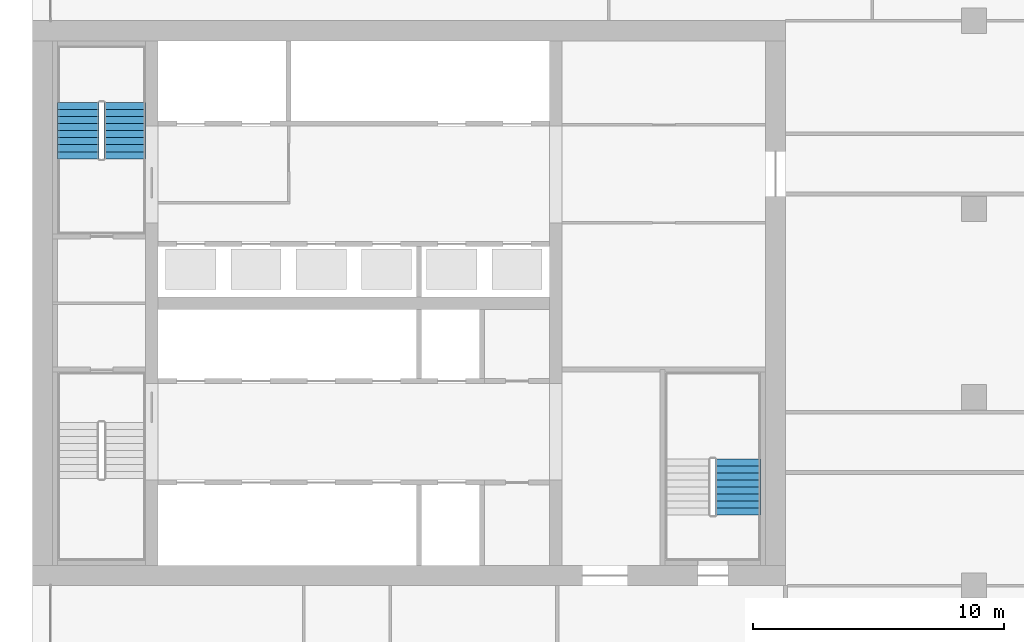
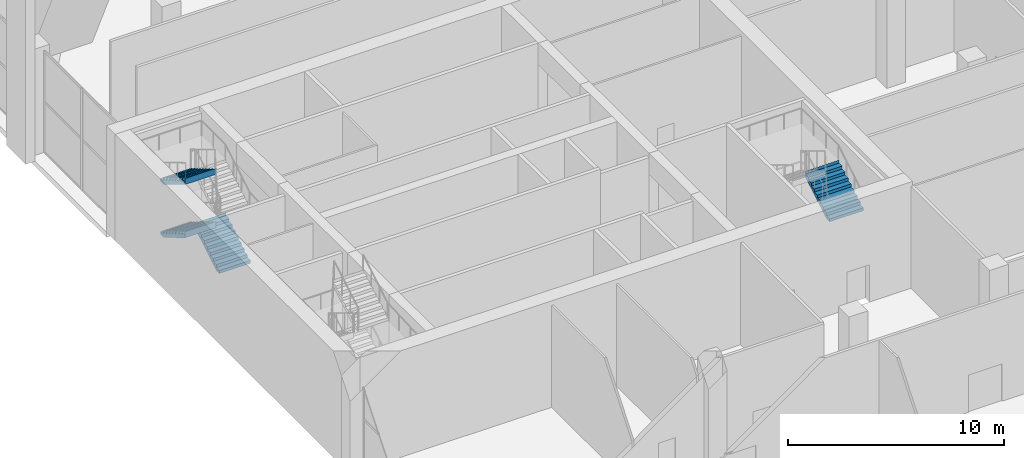
# One storey, part 18 of 23: 4 stair flights, 2 elements without a shape of their own.
"""IFC4 building model written with IfcOpenShell, lengths in metres."""

import ifcopenshell
import ifcopenshell.guid

model = None  # the IFC model being written
_history = None  # IfcOwnerHistory: only IFC2X3 demands one
_inside = {}  # id of a spatial element -> (the spatial element, [elements in it])
_under = {}  # id of a project, library or spatial element -> (it, [spatial elements below it])
_declared = {}  # id of a project -> (the project, [libraries it declares])
_typed = {}  # id of a type object -> (the type object, [elements of that type])
_made_of = {}  # id of a material, layer set ... -> (it, [elements and type objects made of it])


def new_model(schema):
    """Start an empty IFC model of exactly this schema.

    Asked for "IFC4X3", IfcOpenShell would pick the latest addendum, in which some entities
    have other attributes; the version numbers below select the first issue.
    IFC2X3 requires an IfcOwnerHistory on every rooted entity: one is made here for all.
    """
    global model, _history
    if schema == "IFC4X3":
        model = ifcopenshell.file(schema_version=(4, 3, 0, 0))
    else:
        model = ifcopenshell.file(schema=schema)
    _inside.clear()
    _under.clear()
    _declared.clear()
    _typed.clear()
    _made_of.clear()
    _history = None
    if model.schema == "IFC2X3":
        org = make("IfcOrganization", Name="unknown")
        user = make(
            "IfcPersonAndOrganization",
            ThePerson=make("IfcPerson", FamilyName="unknown"),
            TheOrganization=org,
        )
        app = make(
            "IfcApplication",
            ApplicationDeveloper=org,
            Version="unknown",
            ApplicationFullName="unknown",
            ApplicationIdentifier="unknown",
        )
        _history = make(
            "IfcOwnerHistory",
            OwningUser=user,
            OwningApplication=app,
            ChangeAction="ADDED",
            CreationDate=0,
        )
    return model


def make(cls, **values):
    """One entity of the class cls with the attributes given. An attribute that is None is left unset."""
    return model.create_entity(
        cls, **{name: value for name, value in values.items() if value is not None}
    )


def rooted(cls, **values):
    """An entity with a GlobalId (a new one), such as an element, a storey or a relation."""
    return make(cls, GlobalId=ifcopenshell.guid.new(), OwnerHistory=_history, **values)


def si_unit(unit_type, name, prefix=None):
    """IfcSIUnit, for example si_unit("LENGTHUNIT", "METRE", prefix="MILLI")."""
    return make("IfcSIUnit", UnitType=unit_type, Prefix=prefix, Name=name)


def assignment(units):
    """IfcUnitAssignment: the units of a project."""
    return None if units is None else make("IfcUnitAssignment", Units=units)


def point(xyz):
    """IfcCartesianPoint."""
    return None if xyz is None else make("IfcCartesianPoint", Coordinates=xyz)


def direction(xyz):
    """IfcDirection."""
    return None if xyz is None else make("IfcDirection", DirectionRatios=xyz)


def frame(location, z_axis=None, x_axis=None):
    """IfcAxis2Placement3D, a coordinate frame: its origin and axes. An axis left out is left unset."""
    return make(
        "IfcAxis2Placement3D",
        Location=point(location),
        Axis=direction(z_axis),
        RefDirection=direction(x_axis),
    )


def origin():
    """The frame at (0, 0, 0) with its axes left unset."""
    return frame((0.0, 0.0, 0.0))


def place(relative_to, where):
    """IfcLocalPlacement: puts the frame where relative to a parent placement (None: the world)."""
    return make(
        "IfcLocalPlacement", PlacementRelTo=relative_to, RelativePlacement=where
    )


def context(
    kind, dimensions, precision=None, world=None, true_north=None, identifier=None
):
    """IfcGeometricRepresentationContext, for example the 3D "Model" context."""
    return make(
        "IfcGeometricRepresentationContext",
        ContextIdentifier=identifier,
        ContextType=kind,
        CoordinateSpaceDimension=dimensions,
        Precision=precision,
        WorldCoordinateSystem=world,
        TrueNorth=true_north,
    )


def subcontext(parent, identifier, kind, view, scale=None):
    """IfcGeometricRepresentationSubContext, for example "Body" below "Model"."""
    return make(
        "IfcGeometricRepresentationSubContext",
        ContextIdentifier=identifier,
        ContextType=kind,
        ParentContext=parent,
        TargetScale=scale,
        TargetView=view,
    )


def project(units=None, contexts=None):
    """IfcProject with its units and contexts."""
    return rooted(
        "IfcProject",
        Name="project",
        RepresentationContexts=contexts,
        UnitsInContext=assignment(units),
    )


def spatial(cls, under=None, at=None, **own):
    """A site, building, storey or space (cls), placed at a placement, below another one or the project."""
    s = rooted(cls, ObjectPlacement=at, **own)
    if under is not None:
        _under.setdefault(under.id(), (under, []))[1].append(s)
    return s


def polyline(points):
    """IfcPolyline through the points."""
    return make("IfcPolyline", Points=[point(p) for p in points])


def outline(outer, holes=None, kind="AREA"):
    """IfcArbitraryClosedProfileDef: a profile drawn as a closed curve; with holes, ...WithVoids."""
    if holes is None:
        return make("IfcArbitraryClosedProfileDef", ProfileType=kind, OuterCurve=outer)
    return make(
        "IfcArbitraryProfileDefWithVoids",
        ProfileType=kind,
        OuterCurve=outer,
        InnerCurves=holes,
    )


def extrude(swept, where, along, depth):
    """IfcExtrudedAreaSolid: the profile swept, set in the frame where, extruded along a direction by depth."""
    return make(
        "IfcExtrudedAreaSolid",
        SweptArea=swept,
        Position=where,
        ExtrudedDirection=direction(along),
        Depth=depth,
    )


def shape(context_of_items, identifier, shape_type, items):
    """IfcShapeRepresentation: the items that make up one representation, for example the "Body"."""
    return make(
        "IfcShapeRepresentation",
        ContextOfItems=context_of_items,
        RepresentationIdentifier=identifier,
        RepresentationType=shape_type,
        Items=items,
    )


def material(Name=None, Category=None):
    """IfcMaterial."""
    return make("IfcMaterial", Name=Name, Category=Category)


def made_of(thing, what):
    """Note that an element or type object is made of a material, layer set ...; save() writes the relation."""
    if what is not None:
        _made_of.setdefault(what.id(), (what, []))[1].append(thing)
    return thing


def type_object(cls, material=None, **own):
    """A type object (cls), such as IfcWallType, which elements share."""
    return made_of(rooted(cls, **own), material)


def element(
    cls,
    number,
    at=None,
    inside=None,
    cuts=None,
    type_object=None,
    material=None,
    context=None,
    identifier="Body",
    shape_type=None,
    held_by="IfcProductDefinitionShape",
    body=None,
    shapes=None,
    **own,
):
    """One element of the class cls, such as IfcWall. Its Tag is "e" and its number.

    at: its placement. inside: the storey or other place that contains it. cuts: it is an
    opening in that element (IfcRelVoidsElement). A single representation is given by context,
    identifier, shape_type and body (its items); several are given by shapes. held_by: the class
    of the entity that holds the representations. save() writes the other relations.
    """
    e = rooted(cls, Tag="e%d" % number, ObjectPlacement=at, **own)
    if body is not None:
        shapes = [shape(context, identifier, shape_type, body)]
    if shapes is not None:
        e.Representation = make(held_by, Representations=shapes)
    if inside is not None:
        _inside.setdefault(inside.id(), (inside, []))[1].append(e)
    if cuts is not None:
        rooted(
            "IfcRelVoidsElement", RelatingBuildingElement=cuts, RelatedOpeningElement=e
        )
    if type_object is not None:
        _typed.setdefault(type_object.id(), (type_object, []))[1].append(e)
    return made_of(e, material)


def aggregate(whole, parts):
    """IfcRelAggregates: a whole, such as a stair, and the parts it consists of."""
    return rooted("IfcRelAggregates", RelatingObject=whole, RelatedObjects=parts)


def save(model, path):
    """Write the relations noted so far, then the file.

    IfcRelAggregates (storeys below a building ...), IfcRelContainedInSpatialStructure (elements
    in a storey), IfcRelDefinesByType, IfcRelAssociatesMaterial and IfcRelDeclares: one each for
    every whole, place, type object, material and project.
    """
    for whole, parts in _under.values():
        aggregate(whole, parts)
    for where, things in _inside.values():
        rooted(
            "IfcRelContainedInSpatialStructure",
            RelatedElements=things,
            RelatingStructure=where,
        )
    for kind, things in _typed.values():
        rooted("IfcRelDefinesByType", RelatedObjects=things, RelatingType=kind)
    for what, things in _made_of.values():
        rooted("IfcRelAssociatesMaterial", RelatedObjects=things, RelatingMaterial=what)
    for by, libraries in _declared.values():
        rooted("IfcRelDeclares", RelatingContext=by, RelatedDefinitions=libraries)
    model.write(path)


model = new_model("IFC4")

# Units and contexts
model_context = context("Model", 3, precision=1e-05, world=origin(), true_north=direction((0.0, 1.0)))
body_context = subcontext(model_context, "Body", "Model", "MODEL_VIEW")
ifc_project = project(units=[si_unit("LENGTHUNIT", "METRE"), si_unit("AREAUNIT", "SQUARE_METRE"), si_unit("VOLUMEUNIT", "CUBIC_METRE"), si_unit("PLANEANGLEUNIT", "RADIAN"), si_unit("MASSUNIT", "GRAM", prefix="KILO")], contexts=[model_context])

# Site, building, storey
site_placement = place(None, origin())
site = spatial("IfcSite", under=ifc_project, at=site_placement, CompositionType="ELEMENT")
building_placement = place(site_placement, origin())
building = spatial("IfcBuilding", under=site, at=building_placement, Name="Tamorin Gate", CompositionType="ELEMENT")
storey_placement = place(building_placement, frame((0.0, 0.0, 124.199951171875)))
storey = spatial("IfcBuildingStorey", under=building, at=storey_placement, Name="L30", CompositionType="ELEMENT", Elevation=124.199951171875)

# Stair, stair flights
ifc_material = material(Name="Concrete C40/50", Category="concrete")
stair_type = type_object("IfcStairType", Name="Exit stair", PredefinedType="HALF_TURN_STAIR", material=ifc_material)
stair_1_placement = place(storey_placement, origin())
stair_1 = element("IfcStair", 1, at=stair_1_placement, inside=storey, type_object=stair_type, Name="L30 stair ST2", PredefinedType="HALF_TURN_STAIR")
stair_flight_type = type_object("IfcStairFlightType", Name="Exit stair flight", PredefinedType="STRAIGHT", material=ifc_material)
stair_flight_1_placement = place(storey_placement, frame((33.675048828125, 77.0, 0.0), z_axis=(0.0, 0.0, 1.0), x_axis=(0.0, 1.0, 0.0)))
stair_flight_1 = element("IfcStairFlight", 2, at=stair_flight_1_placement, type_object=stair_flight_type, Name="ST2 flight 1", NumberOfRisers=9, NumberOfTreads=8, PredefinedType="STRAIGHT", RiserHeight=0.166666667, TreadLength=0.28, context=body_context, shape_type="SweptSolid", body=[
    extrude(outline(polyline([(-0.00048828125, 0.0), (-0.00048828125, 0.001708984375), (-0.00048828125, 0.00341796875), (-0.00048828125, 0.0048828125), (-0.00048828125, 0.006591796875), (-0.00048828125, 0.00830078125), (-0.00048828125, 0.010009765625), (-0.00048828125, 0.011474609375), (-0.00048828125, 0.01318359375), (-0.00048828125, 0.014892578125), (-0.00048828125, 0.0166015625), (-0.00048828125, 0.01806640625), (-0.00048828125, 0.019775390625), (-0.00048828125, 0.021484375), (-0.00048828125, 0.023193359375), (-0.00048828125, 0.024658203125), (-0.00048828125, 0.0263671875), (-0.00048828125, 0.028076171875), (-0.00048828125, 0.02978515625), (-0.00048828125, 0.03125), (-0.00048828125, 0.032958984375), (-0.00048828125, 0.03466796875), (-0.00048828125, 0.036376953125), (-0.00048828125, 0.037841796875), (-0.00048828125, 0.03955078125), (-0.00048828125, 0.041259765625), (-0.00048828125, 0.04296875), (-0.00048828125, 0.04443359375), (-0.00048828125, 0.046142578125), (-0.00048828125, 0.0478515625), (-0.00048828125, 0.049560546875), (-0.00048828125, 0.05126953125), (-0.00048828125, 0.052734375), (-0.00048828125, 0.054443359375), (-0.00048828125, 0.05615234375), (-0.00048828125, 0.057861328125), (-0.00048828125, 0.059326171875), (-0.00048828125, 0.06103515625), (-0.00048828125, 0.062744140625), (-0.00048828125, 0.064453125), (-0.00048828125, 0.06591796875), (-0.00048828125, 0.067626953125), (-0.00048828125, 0.0693359375), (-0.00048828125, 0.071044921875), (-0.00048828125, 0.072509765625), (-0.00048828125, 0.07421875), (-0.00048828125, 0.075927734375), (-0.00048828125, 0.07763671875), (-0.00048828125, 0.0791015625), (-0.00048828125, 0.080810546875), (-0.00048828125, 0.08251953125), (-0.00048828125, 0.084228515625), (-0.00048828125, 0.085693359375), (-0.00048828125, 0.08740234375), (-0.00048828125, 0.089111328125), (-0.00048828125, 0.0908203125), (-0.00048828125, 0.092529296875), (-0.00048828125, 0.093994140625), (-0.00048828125, 0.095703125), (-0.00048828125, 0.097412109375), (-0.00048828125, 0.09912109375), (-0.00048828125, 0.1005859375), (-0.00048828125, 0.102294921875), (-0.00048828125, 0.10400390625), (-0.00048828125, 0.105712890625), (-0.00048828125, 0.107177734375), (-0.00048828125, 0.10888671875), (-0.00048828125, 0.110595703125), (-0.00048828125, 0.1123046875), (-0.00048828125, 0.11376953125), (-0.00048828125, 0.115478515625), (-0.00048828125, 0.1171875), (-0.00048828125, 0.118896484375), (-0.00048828125, 0.120361328125), (-0.00048828125, 0.1220703125), (-0.00048828125, 0.123779296875), (-0.00048828125, 0.12548828125), (-0.00048828125, 0.126953125), (-0.00048828125, 0.128662109375), (-0.00048828125, 0.13037109375), (-0.00048828125, 0.132080078125), (-0.00048828125, 0.133544921875), (-0.00048828125, 0.13525390625), (-0.00048828125, 0.136962890625), (-0.00048828125, 0.138671875), (-0.00048828125, 0.140380859375), (-0.00048828125, 0.141845703125), (-0.00048828125, 0.1435546875), (-0.00048828125, 0.145263671875), (-0.00048828125, 0.14697265625), (-0.00048828125, 0.1484375), (-0.00048828125, 0.150146484375), (-0.00048828125, 0.15185546875), (-0.00048828125, 0.153564453125), (-0.00048828125, 0.155029296875), (-0.00048828125, 0.15673828125), (-0.00048828125, 0.158447265625), (-0.00048828125, 0.16015625), (-0.00048828125, 0.16162109375), (-0.00048828125, 0.163330078125), (-0.00048828125, 0.1650390625), (-0.00048828125, 0.166748046875), (0.280029296875, 0.166748046875), (0.280029296875, 0.333251953125), (0.56005859375, 0.333251953125), (0.56005859375, 0.5), (0.840087890625, 0.5), (0.840087890625, 0.666748046875), (1.1201171875, 0.666748046875), (1.1201171875, 0.833251953125), (1.39990234375, 0.833251953125), (1.39990234375, 1.0), (1.679931640625, 1.0), (1.679931640625, 1.166748046875), (1.9599609375, 1.166748046875), (1.9599609375, 1.333251953125), (2.239990234375, 1.333251953125), (2.239990234375, 1.5), (2.240478515625, 1.5), (2.240478515625, 1.49658203125), (2.240478515625, 1.4931640625), (2.240478515625, 1.48974609375), (2.240478515625, 1.486572265625), (2.240478515625, 1.483154296875), (2.240478515625, 1.479736328125), (2.240478515625, 1.476318359375), (2.240478515625, 1.472900390625), (2.240478515625, 1.469482421875), (2.240478515625, 1.46630859375), (2.240478515625, 1.462890625), (2.240478515625, 1.45947265625), (2.240478515625, 1.4560546875), (2.240478515625, 1.45263671875), (2.240478515625, 1.44921875), (2.240478515625, 1.446044921875), (2.240478515625, 1.442626953125), (2.240478515625, 1.439208984375), (2.240478515625, 1.435791015625), (2.240478515625, 1.432373046875), (2.240478515625, 1.428955078125), (2.240478515625, 1.42578125), (2.240478515625, 1.42236328125), (2.240478515625, 1.4189453125), (2.240478515625, 1.41552734375), (2.240478515625, 1.412109375), (2.240478515625, 1.40869140625), (2.240478515625, 1.405517578125), (2.240478515625, 1.402099609375), (2.240478515625, 1.398681640625), (2.240478515625, 1.395263671875), (2.240478515625, 1.391845703125), (2.240478515625, 1.388427734375), (2.240478515625, 1.38525390625), (2.240478515625, 1.3818359375), (2.240478515625, 1.37841796875), (2.240478515625, 1.375), (2.240478515625, 1.37158203125), (2.240478515625, 1.3681640625), (2.240478515625, 1.364990234375), (2.240478515625, 1.361572265625), (2.240478515625, 1.358154296875), (2.240478515625, 1.354736328125), (2.240478515625, 1.351318359375), (2.240478515625, 1.347900390625), (2.240478515625, 1.3447265625), (2.240478515625, 1.34130859375), (2.240478515625, 1.337890625), (2.240478515625, 1.33447265625), (2.240478515625, 1.3310546875), (2.240478515625, 1.32763671875), (2.240478515625, 1.324462890625), (2.240478515625, 1.321044921875), (2.240478515625, 1.317626953125), (2.240478515625, 1.314208984375), (2.240478515625, 1.310791015625), (2.240478515625, 1.307373046875), (2.240478515625, 1.30419921875), (2.240478515625, 1.30078125), (2.240478515625, 1.29736328125), (2.240478515625, 1.2939453125), (2.240478515625, 1.29052734375), (2.240478515625, 1.287109375), (2.240478515625, 1.283935546875), (2.240478515625, 1.280517578125), (2.240478515625, 1.277099609375), (2.240478515625, 1.273681640625), (2.240478515625, 1.270263671875), (2.240478515625, 1.266845703125), (2.240478515625, 1.263671875), (2.240478515625, 1.26025390625), (2.240478515625, 1.2568359375), (2.240478515625, 1.25341796875), (2.240478515625, 1.25), (2.240478515625, 1.24658203125), (2.240478515625, 1.243408203125), (2.240478515625, 1.239990234375), (2.240478515625, 1.236572265625), (2.240478515625, 1.233154296875), (2.240478515625, 1.229736328125), (2.240478515625, 1.226318359375), (2.240478515625, 1.22314453125), (2.240478515625, 1.2197265625), (2.240478515625, 1.21630859375), (2.240478515625, 1.212890625), (2.240478515625, 1.20947265625), (2.240478515625, 1.2060546875), (2.240478515625, 1.202880859375), (2.240478515625, 1.199462890625), (2.240478515625, 1.196044921875), (2.240478515625, 1.192626953125), (2.240478515625, 1.189208984375), (2.240478515625, 1.185791015625), (2.240478515625, 1.1826171875), (2.240478515625, 1.17919921875), (2.240478515625, 1.17578125), (2.240478515625, 1.17236328125), (2.240478515625, 1.1689453125), (2.240478515625, 1.16552734375), (2.240478515625, 1.162353515625), (2.240478515625, 1.158935546875), (2.239990234375, 1.158935546875), (0.29296875, 0.0), (-0.00048828125, 0.0)])), frame((0.0, 0.824951171875, 0.0), z_axis=(0.0, -1.0, 0.0), x_axis=(1.0, 0.0, 0.0)), (0.0, 0.0, 1.0), 1.64990234375),
])
stair_flight_2_placement = place(storey_placement, frame((31.824951171875, 79.239990234375, 1.5), z_axis=(0.0, 0.0, 1.0), x_axis=(0.0, -1.0, 0.0)))
stair_flight_2 = element("IfcStairFlight", 3, at=stair_flight_2_placement, type_object=stair_flight_type, Name="ST2 flight 2", NumberOfRisers=9, NumberOfTreads=8, PredefinedType="STRAIGHT", RiserHeight=0.166666667, TreadLength=0.28, context=body_context, shape_type="SweptSolid", body=[
    extrude(outline(polyline([(-0.00048828125, 0.0), (-0.00048828125, 0.001708984375), (-0.00048828125, 0.00341796875), (-0.00048828125, 0.0048828125), (-0.00048828125, 0.006591796875), (-0.00048828125, 0.00830078125), (-0.00048828125, 0.010009765625), (-0.00048828125, 0.011474609375), (-0.00048828125, 0.01318359375), (-0.00048828125, 0.014892578125), (-0.00048828125, 0.0166015625), (-0.00048828125, 0.01806640625), (-0.00048828125, 0.019775390625), (-0.00048828125, 0.021484375), (-0.00048828125, 0.023193359375), (-0.00048828125, 0.024658203125), (-0.00048828125, 0.0263671875), (-0.00048828125, 0.028076171875), (-0.00048828125, 0.02978515625), (-0.00048828125, 0.03125), (-0.00048828125, 0.032958984375), (-0.00048828125, 0.03466796875), (-0.00048828125, 0.036376953125), (-0.00048828125, 0.037841796875), (-0.00048828125, 0.03955078125), (-0.00048828125, 0.041259765625), (-0.00048828125, 0.04296875), (-0.00048828125, 0.04443359375), (-0.00048828125, 0.046142578125), (-0.00048828125, 0.0478515625), (-0.00048828125, 0.049560546875), (-0.00048828125, 0.05126953125), (-0.00048828125, 0.052734375), (-0.00048828125, 0.054443359375), (-0.00048828125, 0.05615234375), (-0.00048828125, 0.057861328125), (-0.00048828125, 0.059326171875), (-0.00048828125, 0.06103515625), (-0.00048828125, 0.062744140625), (-0.00048828125, 0.064453125), (-0.00048828125, 0.06591796875), (-0.00048828125, 0.067626953125), (-0.00048828125, 0.0693359375), (-0.00048828125, 0.071044921875), (-0.00048828125, 0.072509765625), (-0.00048828125, 0.07421875), (-0.00048828125, 0.075927734375), (-0.00048828125, 0.07763671875), (-0.00048828125, 0.0791015625), (-0.00048828125, 0.080810546875), (-0.00048828125, 0.08251953125), (-0.00048828125, 0.084228515625), (-0.00048828125, 0.085693359375), (-0.00048828125, 0.08740234375), (-0.00048828125, 0.089111328125), (-0.00048828125, 0.0908203125), (-0.00048828125, 0.092529296875), (-0.00048828125, 0.093994140625), (-0.00048828125, 0.095703125), (-0.00048828125, 0.097412109375), (-0.00048828125, 0.09912109375), (-0.00048828125, 0.1005859375), (-0.00048828125, 0.102294921875), (-0.00048828125, 0.10400390625), (-0.00048828125, 0.105712890625), (-0.00048828125, 0.107177734375), (-0.00048828125, 0.10888671875), (-0.00048828125, 0.110595703125), (-0.00048828125, 0.1123046875), (-0.00048828125, 0.11376953125), (-0.00048828125, 0.115478515625), (-0.00048828125, 0.1171875), (-0.00048828125, 0.118896484375), (-0.00048828125, 0.120361328125), (-0.00048828125, 0.1220703125), (-0.00048828125, 0.123779296875), (-0.00048828125, 0.12548828125), (-0.00048828125, 0.126953125), (-0.00048828125, 0.128662109375), (-0.00048828125, 0.13037109375), (-0.00048828125, 0.132080078125), (-0.00048828125, 0.133544921875), (-0.00048828125, 0.13525390625), (-0.00048828125, 0.136962890625), (-0.00048828125, 0.138671875), (-0.00048828125, 0.140380859375), (-0.00048828125, 0.141845703125), (-0.00048828125, 0.1435546875), (-0.00048828125, 0.145263671875), (-0.00048828125, 0.14697265625), (-0.00048828125, 0.1484375), (-0.00048828125, 0.150146484375), (-0.00048828125, 0.15185546875), (-0.00048828125, 0.153564453125), (-0.00048828125, 0.155029296875), (-0.00048828125, 0.15673828125), (-0.00048828125, 0.158447265625), (-0.00048828125, 0.16015625), (-0.00048828125, 0.16162109375), (-0.00048828125, 0.163330078125), (-0.00048828125, 0.1650390625), (-0.00048828125, 0.166748046875), (0.280029296875, 0.166748046875), (0.280029296875, 0.333251953125), (0.56005859375, 0.333251953125), (0.56005859375, 0.5), (0.840087890625, 0.5), (0.840087890625, 0.666748046875), (1.1201171875, 0.666748046875), (1.1201171875, 0.833251953125), (1.39990234375, 0.833251953125), (1.39990234375, 1.0), (1.679931640625, 1.0), (1.679931640625, 1.166748046875), (1.9599609375, 1.166748046875), (1.9599609375, 1.333251953125), (2.239990234375, 1.333251953125), (2.239990234375, 1.5), (2.240478515625, 1.5), (2.240478515625, 1.49658203125), (2.240478515625, 1.4931640625), (2.240478515625, 1.48974609375), (2.240478515625, 1.486572265625), (2.240478515625, 1.483154296875), (2.240478515625, 1.479736328125), (2.240478515625, 1.476318359375), (2.240478515625, 1.472900390625), (2.240478515625, 1.469482421875), (2.240478515625, 1.46630859375), (2.240478515625, 1.462890625), (2.240478515625, 1.45947265625), (2.240478515625, 1.4560546875), (2.240478515625, 1.45263671875), (2.240478515625, 1.44921875), (2.240478515625, 1.446044921875), (2.240478515625, 1.442626953125), (2.240478515625, 1.439208984375), (2.240478515625, 1.435791015625), (2.240478515625, 1.432373046875), (2.240478515625, 1.428955078125), (2.240478515625, 1.42578125), (2.240478515625, 1.42236328125), (2.240478515625, 1.4189453125), (2.240478515625, 1.41552734375), (2.240478515625, 1.412109375), (2.240478515625, 1.40869140625), (2.240478515625, 1.405517578125), (2.240478515625, 1.402099609375), (2.240478515625, 1.398681640625), (2.240478515625, 1.395263671875), (2.240478515625, 1.391845703125), (2.240478515625, 1.388427734375), (2.240478515625, 1.38525390625), (2.240478515625, 1.3818359375), (2.240478515625, 1.37841796875), (2.240478515625, 1.375), (2.240478515625, 1.37158203125), (2.240478515625, 1.3681640625), (2.240478515625, 1.364990234375), (2.240478515625, 1.361572265625), (2.240478515625, 1.358154296875), (2.240478515625, 1.354736328125), (2.240478515625, 1.351318359375), (2.240478515625, 1.347900390625), (2.240478515625, 1.3447265625), (2.240478515625, 1.34130859375), (2.240478515625, 1.337890625), (2.240478515625, 1.33447265625), (2.240478515625, 1.3310546875), (2.240478515625, 1.32763671875), (2.240478515625, 1.324462890625), (2.240478515625, 1.321044921875), (2.240478515625, 1.317626953125), (2.240478515625, 1.314208984375), (2.240478515625, 1.310791015625), (2.240478515625, 1.307373046875), (2.240478515625, 1.30419921875), (2.240478515625, 1.30078125), (2.240478515625, 1.29736328125), (2.240478515625, 1.2939453125), (2.240478515625, 1.29052734375), (2.240478515625, 1.287109375), (2.240478515625, 1.283935546875), (2.240478515625, 1.280517578125), (2.240478515625, 1.277099609375), (2.240478515625, 1.273681640625), (2.240478515625, 1.270263671875), (2.240478515625, 1.266845703125), (2.240478515625, 1.263671875), (2.240478515625, 1.26025390625), (2.240478515625, 1.2568359375), (2.240478515625, 1.25341796875), (2.240478515625, 1.25), (2.240478515625, 1.24658203125), (2.240478515625, 1.243408203125), (2.240478515625, 1.239990234375), (2.240478515625, 1.236572265625), (2.240478515625, 1.233154296875), (2.240478515625, 1.229736328125), (2.240478515625, 1.226318359375), (2.240478515625, 1.22314453125), (2.240478515625, 1.2197265625), (2.240478515625, 1.21630859375), (2.240478515625, 1.212890625), (2.240478515625, 1.20947265625), (2.240478515625, 1.2060546875), (2.240478515625, 1.202880859375), (2.240478515625, 1.199462890625), (2.240478515625, 1.196044921875), (2.240478515625, 1.192626953125), (2.240478515625, 1.189208984375), (2.240478515625, 1.185791015625), (2.240478515625, 1.1826171875), (2.240478515625, 1.17919921875), (2.240478515625, 1.17578125), (2.240478515625, 1.17236328125), (2.240478515625, 1.1689453125), (2.240478515625, 1.16552734375), (2.240478515625, 1.162353515625), (2.240478515625, 1.158935546875), (2.239990234375, 1.158935546875), (0.29296875, 0.0), (-0.00048828125, 0.0)])), frame((0.0, 0.824951171875, 0.0), z_axis=(0.0, -1.0, 0.0), x_axis=(1.0, 0.0, 0.0)), (0.0, 0.0, 1.0), 1.64990234375),
])
stair_flight_3_placement = place(storey_placement, frame((31.824951171875, 79.239990234375, 4.5), z_axis=(0.0, 0.0, 1.0), x_axis=(0.0, -1.0, 0.0)))
stair_flight_3 = element("IfcStairFlight", 4, at=stair_flight_3_placement, type_object=stair_flight_type, Name="ST2 flight 4", NumberOfRisers=9, NumberOfTreads=8, PredefinedType="STRAIGHT", RiserHeight=0.166666667, TreadLength=0.28, context=body_context, shape_type="SweptSolid", body=[
    extrude(outline(polyline([(-0.00048828125, 0.0), (-0.00048828125, 0.001708984375), (-0.00048828125, 0.00341796875), (-0.00048828125, 0.0048828125), (-0.00048828125, 0.006591796875), (-0.00048828125, 0.00830078125), (-0.00048828125, 0.010009765625), (-0.00048828125, 0.011474609375), (-0.00048828125, 0.01318359375), (-0.00048828125, 0.014892578125), (-0.00048828125, 0.0166015625), (-0.00048828125, 0.01806640625), (-0.00048828125, 0.019775390625), (-0.00048828125, 0.021484375), (-0.00048828125, 0.023193359375), (-0.00048828125, 0.024658203125), (-0.00048828125, 0.0263671875), (-0.00048828125, 0.028076171875), (-0.00048828125, 0.02978515625), (-0.00048828125, 0.03125), (-0.00048828125, 0.032958984375), (-0.00048828125, 0.03466796875), (-0.00048828125, 0.036376953125), (-0.00048828125, 0.037841796875), (-0.00048828125, 0.03955078125), (-0.00048828125, 0.041259765625), (-0.00048828125, 0.04296875), (-0.00048828125, 0.04443359375), (-0.00048828125, 0.046142578125), (-0.00048828125, 0.0478515625), (-0.00048828125, 0.049560546875), (-0.00048828125, 0.05126953125), (-0.00048828125, 0.052734375), (-0.00048828125, 0.054443359375), (-0.00048828125, 0.05615234375), (-0.00048828125, 0.057861328125), (-0.00048828125, 0.059326171875), (-0.00048828125, 0.06103515625), (-0.00048828125, 0.062744140625), (-0.00048828125, 0.064453125), (-0.00048828125, 0.06591796875), (-0.00048828125, 0.067626953125), (-0.00048828125, 0.0693359375), (-0.00048828125, 0.071044921875), (-0.00048828125, 0.072509765625), (-0.00048828125, 0.07421875), (-0.00048828125, 0.075927734375), (-0.00048828125, 0.07763671875), (-0.00048828125, 0.0791015625), (-0.00048828125, 0.080810546875), (-0.00048828125, 0.08251953125), (-0.00048828125, 0.084228515625), (-0.00048828125, 0.085693359375), (-0.00048828125, 0.08740234375), (-0.00048828125, 0.089111328125), (-0.00048828125, 0.0908203125), (-0.00048828125, 0.092529296875), (-0.00048828125, 0.093994140625), (-0.00048828125, 0.095703125), (-0.00048828125, 0.097412109375), (-0.00048828125, 0.09912109375), (-0.00048828125, 0.1005859375), (-0.00048828125, 0.102294921875), (-0.00048828125, 0.10400390625), (-0.00048828125, 0.105712890625), (-0.00048828125, 0.107177734375), (-0.00048828125, 0.10888671875), (-0.00048828125, 0.110595703125), (-0.00048828125, 0.1123046875), (-0.00048828125, 0.11376953125), (-0.00048828125, 0.115478515625), (-0.00048828125, 0.1171875), (-0.00048828125, 0.118896484375), (-0.00048828125, 0.120361328125), (-0.00048828125, 0.1220703125), (-0.00048828125, 0.123779296875), (-0.00048828125, 0.12548828125), (-0.00048828125, 0.126953125), (-0.00048828125, 0.128662109375), (-0.00048828125, 0.13037109375), (-0.00048828125, 0.132080078125), (-0.00048828125, 0.133544921875), (-0.00048828125, 0.13525390625), (-0.00048828125, 0.136962890625), (-0.00048828125, 0.138671875), (-0.00048828125, 0.140380859375), (-0.00048828125, 0.141845703125), (-0.00048828125, 0.1435546875), (-0.00048828125, 0.145263671875), (-0.00048828125, 0.14697265625), (-0.00048828125, 0.1484375), (-0.00048828125, 0.150146484375), (-0.00048828125, 0.15185546875), (-0.00048828125, 0.153564453125), (-0.00048828125, 0.155029296875), (-0.00048828125, 0.15673828125), (-0.00048828125, 0.158447265625), (-0.00048828125, 0.16015625), (-0.00048828125, 0.16162109375), (-0.00048828125, 0.163330078125), (-0.00048828125, 0.1650390625), (-0.00048828125, 0.166748046875), (0.280029296875, 0.166748046875), (0.280029296875, 0.333251953125), (0.56005859375, 0.333251953125), (0.56005859375, 0.5), (0.840087890625, 0.5), (0.840087890625, 0.666748046875), (1.1201171875, 0.666748046875), (1.1201171875, 0.833251953125), (1.39990234375, 0.833251953125), (1.39990234375, 1.0), (1.679931640625, 1.0), (1.679931640625, 1.166748046875), (1.9599609375, 1.166748046875), (1.9599609375, 1.333251953125), (2.239990234375, 1.333251953125), (2.239990234375, 1.5), (2.240478515625, 1.5), (2.240478515625, 1.49658203125), (2.240478515625, 1.4931640625), (2.240478515625, 1.48974609375), (2.240478515625, 1.486572265625), (2.240478515625, 1.483154296875), (2.240478515625, 1.479736328125), (2.240478515625, 1.476318359375), (2.240478515625, 1.472900390625), (2.240478515625, 1.469482421875), (2.240478515625, 1.46630859375), (2.240478515625, 1.462890625), (2.240478515625, 1.45947265625), (2.240478515625, 1.4560546875), (2.240478515625, 1.45263671875), (2.240478515625, 1.44921875), (2.240478515625, 1.446044921875), (2.240478515625, 1.442626953125), (2.240478515625, 1.439208984375), (2.240478515625, 1.435791015625), (2.240478515625, 1.432373046875), (2.240478515625, 1.428955078125), (2.240478515625, 1.42578125), (2.240478515625, 1.42236328125), (2.240478515625, 1.4189453125), (2.240478515625, 1.41552734375), (2.240478515625, 1.412109375), (2.240478515625, 1.40869140625), (2.240478515625, 1.405517578125), (2.240478515625, 1.402099609375), (2.240478515625, 1.398681640625), (2.240478515625, 1.395263671875), (2.240478515625, 1.391845703125), (2.240478515625, 1.388427734375), (2.240478515625, 1.38525390625), (2.240478515625, 1.3818359375), (2.240478515625, 1.37841796875), (2.240478515625, 1.375), (2.240478515625, 1.37158203125), (2.240478515625, 1.3681640625), (2.240478515625, 1.364990234375), (2.240478515625, 1.361572265625), (2.240478515625, 1.358154296875), (2.240478515625, 1.354736328125), (2.240478515625, 1.351318359375), (2.240478515625, 1.347900390625), (2.240478515625, 1.3447265625), (2.240478515625, 1.34130859375), (2.240478515625, 1.337890625), (2.240478515625, 1.33447265625), (2.240478515625, 1.3310546875), (2.240478515625, 1.32763671875), (2.240478515625, 1.324462890625), (2.240478515625, 1.321044921875), (2.240478515625, 1.317626953125), (2.240478515625, 1.314208984375), (2.240478515625, 1.310791015625), (2.240478515625, 1.307373046875), (2.240478515625, 1.30419921875), (2.240478515625, 1.30078125), (2.240478515625, 1.29736328125), (2.240478515625, 1.2939453125), (2.240478515625, 1.29052734375), (2.240478515625, 1.287109375), (2.240478515625, 1.283935546875), (2.240478515625, 1.280517578125), (2.240478515625, 1.277099609375), (2.240478515625, 1.273681640625), (2.240478515625, 1.270263671875), (2.240478515625, 1.266845703125), (2.240478515625, 1.263671875), (2.240478515625, 1.26025390625), (2.240478515625, 1.2568359375), (2.240478515625, 1.25341796875), (2.240478515625, 1.25), (2.240478515625, 1.24658203125), (2.240478515625, 1.243408203125), (2.240478515625, 1.239990234375), (2.240478515625, 1.236572265625), (2.240478515625, 1.233154296875), (2.240478515625, 1.229736328125), (2.240478515625, 1.226318359375), (2.240478515625, 1.22314453125), (2.240478515625, 1.2197265625), (2.240478515625, 1.21630859375), (2.240478515625, 1.212890625), (2.240478515625, 1.20947265625), (2.240478515625, 1.2060546875), (2.240478515625, 1.202880859375), (2.240478515625, 1.199462890625), (2.240478515625, 1.196044921875), (2.240478515625, 1.192626953125), (2.240478515625, 1.189208984375), (2.240478515625, 1.185791015625), (2.240478515625, 1.1826171875), (2.240478515625, 1.17919921875), (2.240478515625, 1.17578125), (2.240478515625, 1.17236328125), (2.240478515625, 1.1689453125), (2.240478515625, 1.16552734375), (2.240478515625, 1.162353515625), (2.240478515625, 1.158935546875), (2.239990234375, 1.158935546875), (0.29296875, 0.0), (-0.00048828125, 0.0)])), frame((0.0, 0.824951171875, 0.0), z_axis=(0.0, -1.0, 0.0), x_axis=(1.0, 0.0, 0.0)), (0.0, 0.0, 1.0), 1.64990234375),
])
aggregate(stair_1, [stair_flight_1, stair_flight_2, stair_flight_3])

# Stair, stair flight
stair_2_placement = place(storey_placement, origin())
stair_2 = element("IfcStair", 5, at=stair_2_placement, inside=storey, type_object=stair_type, Name="L30 stair ST3", PredefinedType="HALF_TURN_STAIR")
stair_flight_4_placement = place(storey_placement, frame((58.10009765625, 62.800048828125, 3.0), z_axis=(0.0, 0.0, 1.0), x_axis=(0.0, 1.0, 0.0)))
stair_flight_4 = element("IfcStairFlight", 6, at=stair_flight_4_placement, type_object=stair_flight_type, Name="ST3 flight 3", NumberOfRisers=9, NumberOfTreads=8, PredefinedType="STRAIGHT", RiserHeight=0.166666667, TreadLength=0.28, context=body_context, shape_type="SweptSolid", body=[
    extrude(outline(polyline([(-0.00048828125, 0.0), (-0.00048828125, 0.001708984375), (-0.00048828125, 0.00341796875), (-0.00048828125, 0.0048828125), (-0.00048828125, 0.006591796875), (-0.00048828125, 0.00830078125), (-0.00048828125, 0.010009765625), (-0.00048828125, 0.011474609375), (-0.00048828125, 0.01318359375), (-0.00048828125, 0.014892578125), (-0.00048828125, 0.0166015625), (-0.00048828125, 0.01806640625), (-0.00048828125, 0.019775390625), (-0.00048828125, 0.021484375), (-0.00048828125, 0.023193359375), (-0.00048828125, 0.024658203125), (-0.00048828125, 0.0263671875), (-0.00048828125, 0.028076171875), (-0.00048828125, 0.02978515625), (-0.00048828125, 0.03125), (-0.00048828125, 0.032958984375), (-0.00048828125, 0.03466796875), (-0.00048828125, 0.036376953125), (-0.00048828125, 0.037841796875), (-0.00048828125, 0.03955078125), (-0.00048828125, 0.041259765625), (-0.00048828125, 0.04296875), (-0.00048828125, 0.04443359375), (-0.00048828125, 0.046142578125), (-0.00048828125, 0.0478515625), (-0.00048828125, 0.049560546875), (-0.00048828125, 0.05126953125), (-0.00048828125, 0.052734375), (-0.00048828125, 0.054443359375), (-0.00048828125, 0.05615234375), (-0.00048828125, 0.057861328125), (-0.00048828125, 0.059326171875), (-0.00048828125, 0.06103515625), (-0.00048828125, 0.062744140625), (-0.00048828125, 0.064453125), (-0.00048828125, 0.06591796875), (-0.00048828125, 0.067626953125), (-0.00048828125, 0.0693359375), (-0.00048828125, 0.071044921875), (-0.00048828125, 0.072509765625), (-0.00048828125, 0.07421875), (-0.00048828125, 0.075927734375), (-0.00048828125, 0.07763671875), (-0.00048828125, 0.0791015625), (-0.00048828125, 0.080810546875), (-0.00048828125, 0.08251953125), (-0.00048828125, 0.084228515625), (-0.00048828125, 0.085693359375), (-0.00048828125, 0.08740234375), (-0.00048828125, 0.089111328125), (-0.00048828125, 0.0908203125), (-0.00048828125, 0.092529296875), (-0.00048828125, 0.093994140625), (-0.00048828125, 0.095703125), (-0.00048828125, 0.097412109375), (-0.00048828125, 0.09912109375), (-0.00048828125, 0.1005859375), (-0.00048828125, 0.102294921875), (-0.00048828125, 0.10400390625), (-0.00048828125, 0.105712890625), (-0.00048828125, 0.107177734375), (-0.00048828125, 0.10888671875), (-0.00048828125, 0.110595703125), (-0.00048828125, 0.1123046875), (-0.00048828125, 0.11376953125), (-0.00048828125, 0.115478515625), (-0.00048828125, 0.1171875), (-0.00048828125, 0.118896484375), (-0.00048828125, 0.120361328125), (-0.00048828125, 0.1220703125), (-0.00048828125, 0.123779296875), (-0.00048828125, 0.12548828125), (-0.00048828125, 0.126953125), (-0.00048828125, 0.128662109375), (-0.00048828125, 0.13037109375), (-0.00048828125, 0.132080078125), (-0.00048828125, 0.133544921875), (-0.00048828125, 0.13525390625), (-0.00048828125, 0.136962890625), (-0.00048828125, 0.138671875), (-0.00048828125, 0.140380859375), (-0.00048828125, 0.141845703125), (-0.00048828125, 0.1435546875), (-0.00048828125, 0.145263671875), (-0.00048828125, 0.14697265625), (-0.00048828125, 0.1484375), (-0.00048828125, 0.150146484375), (-0.00048828125, 0.15185546875), (-0.00048828125, 0.153564453125), (-0.00048828125, 0.155029296875), (-0.00048828125, 0.15673828125), (-0.00048828125, 0.158447265625), (-0.00048828125, 0.16015625), (-0.00048828125, 0.16162109375), (-0.00048828125, 0.163330078125), (-0.00048828125, 0.1650390625), (-0.00048828125, 0.166748046875), (0.280029296875, 0.166748046875), (0.280029296875, 0.333251953125), (0.56005859375, 0.333251953125), (0.56005859375, 0.5), (0.840087890625, 0.5), (0.840087890625, 0.666748046875), (1.1201171875, 0.666748046875), (1.1201171875, 0.833251953125), (1.39990234375, 0.833251953125), (1.39990234375, 1.0), (1.679931640625, 1.0), (1.679931640625, 1.166748046875), (1.9599609375, 1.166748046875), (1.9599609375, 1.333251953125), (2.239990234375, 1.333251953125), (2.239990234375, 1.5), (2.240478515625, 1.5), (2.240478515625, 1.49658203125), (2.240478515625, 1.4931640625), (2.240478515625, 1.48974609375), (2.240478515625, 1.486572265625), (2.240478515625, 1.483154296875), (2.240478515625, 1.479736328125), (2.240478515625, 1.476318359375), (2.240478515625, 1.472900390625), (2.240478515625, 1.469482421875), (2.240478515625, 1.46630859375), (2.240478515625, 1.462890625), (2.240478515625, 1.45947265625), (2.240478515625, 1.4560546875), (2.240478515625, 1.45263671875), (2.240478515625, 1.44921875), (2.240478515625, 1.446044921875), (2.240478515625, 1.442626953125), (2.240478515625, 1.439208984375), (2.240478515625, 1.435791015625), (2.240478515625, 1.432373046875), (2.240478515625, 1.428955078125), (2.240478515625, 1.42578125), (2.240478515625, 1.42236328125), (2.240478515625, 1.4189453125), (2.240478515625, 1.41552734375), (2.240478515625, 1.412109375), (2.240478515625, 1.40869140625), (2.240478515625, 1.405517578125), (2.240478515625, 1.402099609375), (2.240478515625, 1.398681640625), (2.240478515625, 1.395263671875), (2.240478515625, 1.391845703125), (2.240478515625, 1.388427734375), (2.240478515625, 1.38525390625), (2.240478515625, 1.3818359375), (2.240478515625, 1.37841796875), (2.240478515625, 1.375), (2.240478515625, 1.37158203125), (2.240478515625, 1.3681640625), (2.240478515625, 1.364990234375), (2.240478515625, 1.361572265625), (2.240478515625, 1.358154296875), (2.240478515625, 1.354736328125), (2.240478515625, 1.351318359375), (2.240478515625, 1.347900390625), (2.240478515625, 1.3447265625), (2.240478515625, 1.34130859375), (2.240478515625, 1.337890625), (2.240478515625, 1.33447265625), (2.240478515625, 1.3310546875), (2.240478515625, 1.32763671875), (2.240478515625, 1.324462890625), (2.240478515625, 1.321044921875), (2.240478515625, 1.317626953125), (2.240478515625, 1.314208984375), (2.240478515625, 1.310791015625), (2.240478515625, 1.307373046875), (2.240478515625, 1.30419921875), (2.240478515625, 1.30078125), (2.240478515625, 1.29736328125), (2.240478515625, 1.2939453125), (2.240478515625, 1.29052734375), (2.240478515625, 1.287109375), (2.240478515625, 1.283935546875), (2.240478515625, 1.280517578125), (2.240478515625, 1.277099609375), (2.240478515625, 1.273681640625), (2.240478515625, 1.270263671875), (2.240478515625, 1.266845703125), (2.240478515625, 1.263671875), (2.240478515625, 1.26025390625), (2.240478515625, 1.2568359375), (2.240478515625, 1.25341796875), (2.240478515625, 1.25), (2.240478515625, 1.24658203125), (2.240478515625, 1.243408203125), (2.240478515625, 1.239990234375), (2.240478515625, 1.236572265625), (2.240478515625, 1.233154296875), (2.240478515625, 1.229736328125), (2.240478515625, 1.226318359375), (2.240478515625, 1.22314453125), (2.240478515625, 1.2197265625), (2.240478515625, 1.21630859375), (2.240478515625, 1.212890625), (2.240478515625, 1.20947265625), (2.240478515625, 1.2060546875), (2.240478515625, 1.202880859375), (2.240478515625, 1.199462890625), (2.240478515625, 1.196044921875), (2.240478515625, 1.192626953125), (2.240478515625, 1.189208984375), (2.240478515625, 1.185791015625), (2.240478515625, 1.1826171875), (2.240478515625, 1.17919921875), (2.240478515625, 1.17578125), (2.240478515625, 1.17236328125), (2.240478515625, 1.1689453125), (2.240478515625, 1.16552734375), (2.240478515625, 1.162353515625), (2.240478515625, 1.158935546875), (2.239990234375, 1.158935546875), (0.29296875, 0.0), (-0.00048828125, 0.0)])), frame((0.0, 0.89990234375, 0.0), z_axis=(0.0, -1.0, 0.0), x_axis=(1.0, 0.0, 0.0)), (0.0, 0.0, 1.0), 1.800048828125),
])
aggregate(stair_2, [stair_flight_4])

save(model, "model.ifc")
